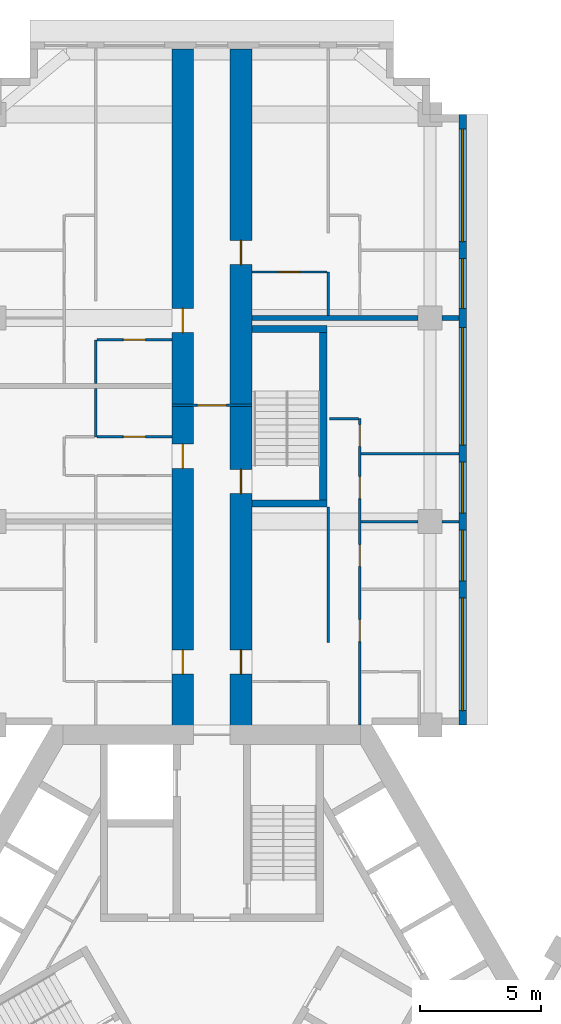
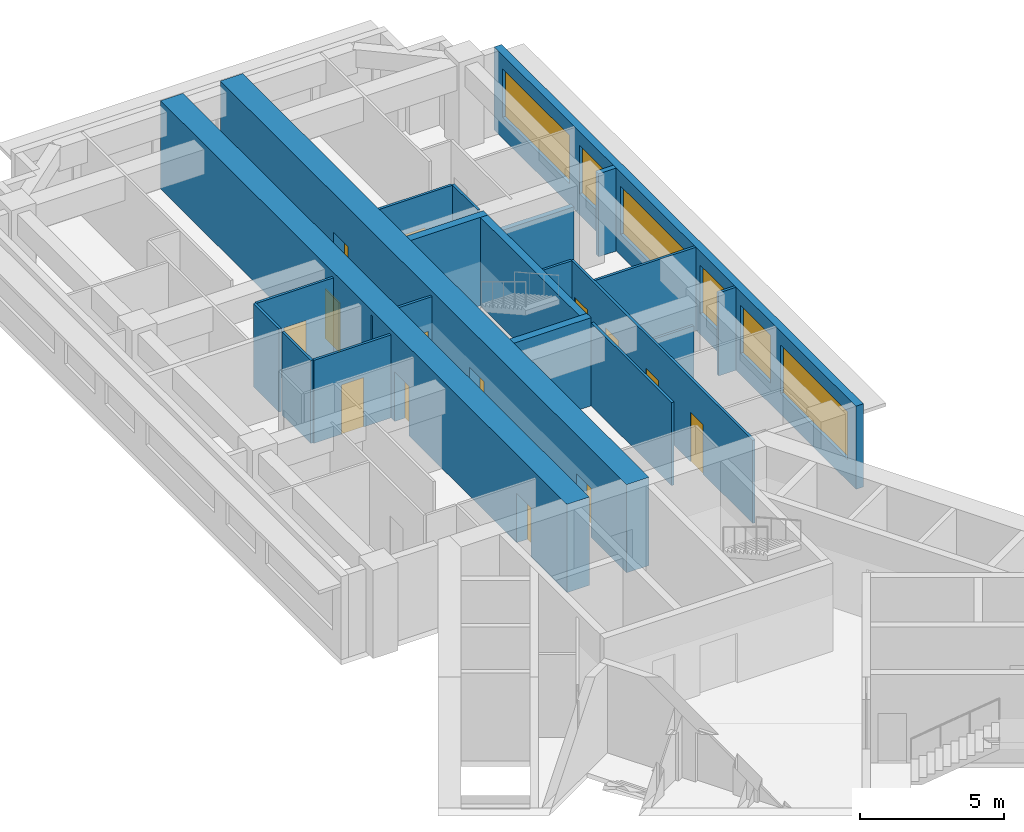
# One storey, part 9 of 13: 21 walls, 14 doors, 6 windows, 20 openings.
"""IFC4 building model written with IfcOpenShell, lengths in metres."""

from ifc_helpers import new_model, si_unit, direction, frame, frame_2d, origin, place, context, subcontext, project, spatial, rectangle, extrude, material, layer, layer_set, type_object, element, fill, save


model = new_model("IFC4")

# Units and contexts
model_context = context("Model", 3, precision=1e-05, world=origin(), true_north=direction((0.0, 1.0)))
body_context = subcontext(model_context, "Body", "Model", "MODEL_VIEW")
ifc_project = project(units=[si_unit("LENGTHUNIT", "METRE"), si_unit("AREAUNIT", "SQUARE_METRE"), si_unit("VOLUMEUNIT", "CUBIC_METRE"), si_unit("PLANEANGLEUNIT", "RADIAN"), si_unit("MASSUNIT", "GRAM", prefix="KILO")], contexts=[model_context])

# Site, building, storey
site_placement = place(None, origin())
site = spatial("IfcSite", under=ifc_project, at=site_placement, CompositionType="ELEMENT")
building_placement = place(site_placement, origin())
building = spatial("IfcBuilding", under=site, at=building_placement, Name="Impinga Residences", CompositionType="ELEMENT")
storey_placement = place(building_placement, frame((0.0, 0.0, 139.75)))
storey = spatial("IfcBuildingStorey", under=building, at=storey_placement, Name="L34", CompositionType="ELEMENT", Elevation=139.75)

# Wall, openings, doors
ifc_material_1 = material(Name="Concrete C60/75", Category="concrete")
ifc_layer_1 = layer(ifc_material_1, 0.89990234375)
ifc_layer_set_1 = layer_set([ifc_layer_1], Name="Concrete C60/75")
wall_type_1 = type_object("IfcWallType", Name="BW2 corridor buttress wall, L24 to L44 900", PredefinedType="SHEAR", material=ifc_layer_set_1)
wall_1_placement = place(storey_placement, frame((-1.199951171875, 11.031494140625, 0.0), z_axis=(0.0, 0.0, 1.0), x_axis=(0.0, 1.0, 0.0)))
wall_1 = element("IfcWall", 1, at=wall_1_placement, inside=storey, type_object=wall_type_1, Name="Corridor wall BW2 NC L34", PredefinedType="SHEAR", context=body_context, shape_type="SweptSolid", body=[
    extrude(rectangle(XDim=28.300048828125, YDim=0.89990234375, at=frame_2d((14.14990234375, 0.0))), origin(), (0.0, 0.0, 1.0), 3.75),
])
opening_1_placement = place(wall_1_placement, frame((2.5, 0.0, 0.0)))
opening_1 = element("IfcOpeningElement", 2, at=opening_1_placement, cuts=wall_1, Name="Opening D1", PredefinedType="OPENING", context=body_context, shape_type="SweptSolid", body=[
    extrude(rectangle(XDim=1.0, YDim=2.10009765625, at=frame_2d((0.5, 1.050048828125))), frame((0.0, 0.4599609375, 0.0), z_axis=(0.0, -1.0, 0.0), x_axis=(1.0, 0.0, 0.0)), (0.0, 0.0, 1.0), 0.919921875),
])
opening_2_placement = place(wall_1_placement, frame((11.0, 0.0, 0.0)))
opening_2 = element("IfcOpeningElement", 3, at=opening_2_placement, cuts=wall_1, Name="Opening D1", PredefinedType="OPENING", context=body_context, shape_type="SweptSolid", body=[
    extrude(rectangle(XDim=1.0, YDim=2.10009765625, at=frame_2d((0.5, 1.050048828125))), frame((0.0, 0.4599609375, 0.0), z_axis=(0.0, -1.0, 0.0), x_axis=(1.0, 0.0, 0.0)), (0.0, 0.0, 1.0), 0.919921875),
])
opening_3_placement = place(wall_1_placement, frame((16.60009765625, 0.0, 0.0)))
opening_3 = element("IfcOpeningElement", 4, at=opening_3_placement, cuts=wall_1, Name="Opening D1", PredefinedType="OPENING", context=body_context, shape_type="SweptSolid", body=[
    extrude(rectangle(XDim=1.0, YDim=2.10009765625, at=frame_2d((0.5, 1.050048828125))), frame((0.0, 0.4599609375, 0.0), z_axis=(0.0, -1.0, 0.0), x_axis=(1.0, 0.0, 0.0)), (0.0, 0.0, 1.0), 0.919921875),
])
ifc_material_2 = material(Name="Timber door set", Category="wood")
door_type_1 = type_object("IfcDoorType", Name="D1 apartment entrance door 1000x2100", OperationType="SINGLE_SWING_LEFT", PredefinedType="DOOR", material=ifc_material_2)
door_1_placement = place(opening_1_placement, origin())
door_1 = element("IfcDoor", 5, at=door_1_placement, inside=storey, type_object=door_type_1, Name="Apartment L34-NA1 entrance", OperationType="SINGLE_SWING_LEFT", OverallHeight=2.10009765625, OverallWidth=1.0, PredefinedType="DOOR", context=body_context, shape_type="SweptSolid", body=[
    extrude(rectangle(XDim=1.0, YDim=2.10009765625, at=frame_2d((0.5, 1.050048828125))), frame((0.0, 0.02490234375, 0.0), z_axis=(0.0, -1.0, 0.0), x_axis=(1.0, 0.0, 0.0)), (0.0, 0.0, 1.0), 0.050048828125),
])
fill(opening_1, door_1)
door_2_placement = place(opening_2_placement, origin())
door_2 = element("IfcDoor", 6, at=door_2_placement, inside=storey, type_object=door_type_1, Name="Apartment L34-NA2 entrance", OperationType="SINGLE_SWING_LEFT", OverallHeight=2.10009765625, OverallWidth=1.0, PredefinedType="DOOR", context=body_context, shape_type="SweptSolid", body=[
    extrude(rectangle(XDim=1.0, YDim=2.10009765625, at=frame_2d((0.5, 1.050048828125))), frame((0.0, 0.02490234375, 0.0), z_axis=(0.0, -1.0, 0.0), x_axis=(1.0, 0.0, 0.0)), (0.0, 0.0, 1.0), 0.050048828125),
])
fill(opening_2, door_2)
door_3_placement = place(opening_3_placement, origin())
door_3 = element("IfcDoor", 7, at=door_3_placement, inside=storey, type_object=door_type_1, Name="Apartment L34-NA3 entrance", OperationType="SINGLE_SWING_RIGHT", OverallHeight=2.10009765625, OverallWidth=1.0, PredefinedType="DOOR", context=body_context, shape_type="SweptSolid", body=[
    extrude(rectangle(XDim=1.0, YDim=2.10009765625, at=frame_2d((0.5, 1.050048828125))), frame((0.0, 0.02490234375, 0.0), z_axis=(0.0, -1.0, 0.0), x_axis=(1.0, 0.0, 0.0)), (0.0, 0.0, 1.0), 0.050048828125),
])
fill(opening_3, door_3)

wall_2_placement = place(storey_placement, frame((1.199951171875, 11.031494140625, 0.0), z_axis=(0.0, 0.0, 1.0), x_axis=(0.0, 1.0, 0.0)))
wall_2 = element("IfcWall", 8, at=wall_2_placement, inside=storey, type_object=wall_type_1, Name="Corridor wall BW2 ND L34", PredefinedType="SHEAR", context=body_context, shape_type="SweptSolid", body=[
    extrude(rectangle(XDim=28.300048828125, YDim=0.89990234375, at=frame_2d((14.14990234375, 0.0))), origin(), (0.0, 0.0, 1.0), 3.75),
])
opening_4_placement = place(wall_2_placement, frame((9.949951171875, 0.0, 0.0)))
opening_4 = element("IfcOpeningElement", 9, at=opening_4_placement, cuts=wall_2, Name="Opening D5", PredefinedType="OPENING", context=body_context, shape_type="SweptSolid", body=[
    extrude(rectangle(XDim=1.0, YDim=2.10009765625, at=frame_2d((0.5, 1.050048828125))), frame((0.0, 0.4599609375, 0.0), z_axis=(0.0, -1.0, 0.0), x_axis=(1.0, 0.0, 0.0)), (0.0, 0.0, 1.0), 0.919921875),
])
opening_5_placement = place(wall_2_placement, frame((2.5, 0.0, 0.0)))
opening_5 = element("IfcOpeningElement", 10, at=opening_5_placement, cuts=wall_2, Name="Opening D1", PredefinedType="OPENING", context=body_context, shape_type="SweptSolid", body=[
    extrude(rectangle(XDim=1.0, YDim=2.10009765625, at=frame_2d((0.5, 1.050048828125))), frame((0.0, 0.4599609375, 0.0), z_axis=(0.0, -1.0, 0.0), x_axis=(1.0, 0.0, 0.0)), (0.0, 0.0, 1.0), 0.919921875),
])
opening_6_placement = place(wall_2_placement, frame((19.39990234375, 0.0, 0.0)))
opening_6 = element("IfcOpeningElement", 11, at=opening_6_placement, cuts=wall_2, Name="Opening D1", PredefinedType="OPENING", context=body_context, shape_type="SweptSolid", body=[
    extrude(rectangle(XDim=1.0, YDim=2.10009765625, at=frame_2d((0.5, 1.050048828125))), frame((0.0, 0.4599609375, 0.0), z_axis=(0.0, -1.0, 0.0), x_axis=(1.0, 0.0, 0.0)), (0.0, 0.0, 1.0), 0.919921875),
])
door_4_placement = place(opening_5_placement, origin())
door_4 = element("IfcDoor", 12, at=door_4_placement, inside=storey, type_object=door_type_1, Name="Apartment L34-NF1 entrance", OperationType="SINGLE_SWING_LEFT", OverallHeight=2.10009765625, OverallWidth=1.0, PredefinedType="DOOR", context=body_context, shape_type="SweptSolid", body=[
    extrude(rectangle(XDim=1.0, YDim=2.10009765625, at=frame_2d((0.5, 1.050048828125))), frame((0.0, 0.02490234375, 0.0), z_axis=(0.0, -1.0, 0.0), x_axis=(1.0, 0.0, 0.0)), (0.0, 0.0, 1.0), 0.050048828125),
])
fill(opening_5, door_4)
door_5_placement = place(opening_6_placement, origin())
door_5 = element("IfcDoor", 13, at=door_5_placement, inside=storey, type_object=door_type_1, Name="Apartment L34-NF2 entrance", OperationType="SINGLE_SWING_RIGHT", OverallHeight=2.10009765625, OverallWidth=1.0, PredefinedType="DOOR", context=body_context, shape_type="SweptSolid", body=[
    extrude(rectangle(XDim=1.0, YDim=2.10009765625, at=frame_2d((0.5, 1.050048828125))), frame((0.0, 0.02490234375, 0.0), z_axis=(0.0, -1.0, 0.0), x_axis=(1.0, 0.0, 0.0)), (0.0, 0.0, 1.0), 0.050048828125),
])
fill(opening_6, door_5)
door_type_2 = type_object("IfcDoorType", Name="D5 stair door 1000x2100", OperationType="SINGLE_SWING_LEFT", PredefinedType="DOOR", material=ifc_material_2)
door_6_placement = place(opening_4_placement, origin())
door_6 = element("IfcDoor", 14, at=door_6_placement, inside=storey, type_object=door_type_2, Name="Wing stair door N", OperationType="SINGLE_SWING_LEFT", OverallHeight=2.10009765625, OverallWidth=1.0, PredefinedType="DOOR", context=body_context, shape_type="SweptSolid", body=[
    extrude(rectangle(XDim=1.0, YDim=2.10009765625, at=frame_2d((0.5, 1.050048828125))), frame((0.0, 0.02490234375, 0.0), z_axis=(0.0, -1.0, 0.0), x_axis=(1.0, 0.0, 0.0)), (0.0, 0.0, 1.0), 0.050048828125),
])
fill(opening_4, door_6)

# Wall, opening, door
ifc_material_3 = material(Name="Concrete blockwork", Category="masonry")
ifc_layer_2 = layer(ifc_material_3, 0.10009765625)
ifc_layer_set_2 = layer_set([ifc_layer_2], Name="CP1 core room partition, blockwork 100")
wall_type_2 = type_object("IfcWallType", Name="CP1 core room partition, blockwork 100", PredefinedType="PARTITIONING", material=ifc_layer_set_2)
wall_3_placement = place(storey_placement, frame((-1.64990234375, 24.631591796875, 0.0), z_axis=(0.0, 0.0, 1.0), x_axis=(1.0, 0.0, 0.0)))
wall_3 = element("IfcWall", 15, at=wall_3_placement, inside=storey, type_object=wall_type_2, Name="Core room partition, blockwork L34:N:PLB", PredefinedType="PARTITIONING", context=body_context, shape_type="SweptSolid", body=[
    extrude(rectangle(XDim=3.2998046875, YDim=0.10009765625, at=frame_2d((1.64990234375, 0.0))), origin(), (0.0, 0.0, 1.0), 3.530029296875),
])
opening_7_placement = place(wall_3_placement, frame((1.050048828125, 0.0, 0.0)))
opening_7 = element("IfcOpeningElement", 16, at=opening_7_placement, cuts=wall_3, Name="Opening D3", PredefinedType="OPENING", context=body_context, shape_type="SweptSolid", body=[
    extrude(rectangle(XDim=1.199951171875, YDim=2.10009765625, at=frame_2d((0.60009765625, 1.050048828125))), frame((0.0, 0.06005859375, 0.0), z_axis=(0.0, -1.0, 0.0), x_axis=(1.0, 0.0, 0.0)), (0.0, 0.0, 1.0), 0.1201171875),
])
door_type_3 = type_object("IfcDoorType", Name="D3 room door, leaf and a half 1200x2100", OperationType="DOUBLE_SWING_LEFT", PredefinedType="DOOR", material=ifc_material_2)
door_7_placement = place(opening_7_placement, origin())
door_7 = element("IfcDoor", 17, at=door_7_placement, inside=storey, type_object=door_type_3, Name="Private lobby door N", OperationType="DOUBLE_SWING_LEFT", OverallHeight=2.10009765625, OverallWidth=1.199951171875, PredefinedType="DOOR", context=body_context, shape_type="SweptSolid", body=[
    extrude(rectangle(XDim=1.199951171875, YDim=2.10009765625, at=frame_2d((0.60009765625, 1.050048828125))), frame((0.0, 0.02490234375, 0.0), z_axis=(0.0, -1.0, 0.0), x_axis=(1.0, 0.0, 0.0)), (0.0, 0.0, 1.0), 0.050048828125),
])
fill(opening_7, door_7)

# Wall, openings, windows
ifc_material_4 = material(Name="Terracotta rainscreen on blockwork", Category="masonry")
ifc_layer_3 = layer(ifc_material_4, 0.300048828125)
ifc_layer_set_3 = layer_set([ifc_layer_3], Name="EW1 external wall, terracotta rainscreen on blockwork 300")
wall_type_3 = type_object("IfcWallType", Name="EW1 external wall, terracotta rainscreen on blockwork 300", PredefinedType="SOLIDWALL", material=ifc_layer_set_3)
wall_4_placement = place(storey_placement, frame((10.35009765625, 36.631591796875, 0.0), z_axis=(0.0, 0.0, 1.0), x_axis=(0.0, -1.0, 0.0)))
wall_4 = element("IfcWall", 18, at=wall_4_placement, inside=storey, type_object=wall_type_3, Name="External wall EW1 L34", PredefinedType="SOLIDWALL", context=body_context, shape_type="SweptSolid", body=[
    extrude(rectangle(XDim=25.199951171875, YDim=0.300048828125, at=frame_2d((12.60009765625, 0.0))), origin(), (0.0, 0.0, 1.0), 3.530029296875),
])
opening_8_placement = place(wall_4_placement, frame((0.60009765625, 0.0, 0.89990234375)))
opening_8 = element("IfcOpeningElement", 19, at=opening_8_placement, cuts=wall_4, Name="Opening W10", PredefinedType="OPENING", context=body_context, shape_type="SweptSolid", body=[
    extrude(rectangle(XDim=4.64990234375, YDim=2.050048828125, at=frame_2d((2.324951171875, 1.02490234375))), frame((0.0, 0.159912109375, 0.0), z_axis=(0.0, -1.0, 0.0), x_axis=(1.0, 0.0, 0.0)), (0.0, 0.0, 1.0), 0.320068359375),
])
opening_9_placement = place(wall_4_placement, frame((5.949951171875, 0.0, 0.89990234375)))
opening_9 = element("IfcOpeningElement", 20, at=opening_9_placement, cuts=wall_4, Name="Opening W14", PredefinedType="OPENING", context=body_context, shape_type="SweptSolid", body=[
    extrude(rectangle(XDim=2.050048828125, YDim=2.050048828125, at=frame_2d((1.02490234375, 1.02490234375))), frame((0.0, 0.159912109375, 0.0), z_axis=(0.0, -1.0, 0.0), x_axis=(1.0, 0.0, 0.0)), (0.0, 0.0, 1.0), 0.320068359375),
])
opening_10_placement = place(wall_4_placement, frame((8.800048828125, 0.0, 0.89990234375)))
opening_10 = element("IfcOpeningElement", 21, at=opening_10_placement, cuts=wall_4, Name="Opening W6", PredefinedType="OPENING", context=body_context, shape_type="SweptSolid", body=[
    extrude(rectangle(XDim=4.85009765625, YDim=2.050048828125, at=frame_2d((2.425048828125, 1.02490234375))), frame((0.0, 0.159912109375, 0.0), z_axis=(0.0, -1.0, 0.0), x_axis=(1.0, 0.0, 0.0)), (0.0, 0.0, 1.0), 0.320068359375),
])
opening_11_placement = place(wall_4_placement, frame((14.35009765625, 0.0, 0.89990234375)))
opening_11 = element("IfcOpeningElement", 22, at=opening_11_placement, cuts=wall_4, Name="Opening W9", PredefinedType="OPENING", context=body_context, shape_type="SweptSolid", body=[
    extrude(rectangle(XDim=2.10009765625, YDim=2.050048828125, at=frame_2d((1.050048828125, 1.02490234375))), frame((0.0, 0.159912109375, 0.0), z_axis=(0.0, -1.0, 0.0), x_axis=(1.0, 0.0, 0.0)), (0.0, 0.0, 1.0), 0.320068359375),
])
opening_12_placement = place(wall_4_placement, frame((17.14990234375, 0.0, 0.89990234375)))
opening_12 = element("IfcOpeningElement", 23, at=opening_12_placement, cuts=wall_4, Name="Opening W9", PredefinedType="OPENING", context=body_context, shape_type="SweptSolid", body=[
    extrude(rectangle(XDim=2.10009765625, YDim=2.050048828125, at=frame_2d((1.050048828125, 1.02490234375))), frame((0.0, 0.159912109375, 0.0), z_axis=(0.0, -1.0, 0.0), x_axis=(1.0, 0.0, 0.0)), (0.0, 0.0, 1.0), 0.320068359375),
])
opening_13_placement = place(wall_4_placement, frame((19.949951171875, 0.0, 0.89990234375)))
opening_13 = element("IfcOpeningElement", 24, at=opening_13_placement, cuts=wall_4, Name="Opening W10", PredefinedType="OPENING", context=body_context, shape_type="SweptSolid", body=[
    extrude(rectangle(XDim=4.64990234375, YDim=2.050048828125, at=frame_2d((2.324951171875, 1.02490234375))), frame((0.0, 0.159912109375, 0.0), z_axis=(0.0, -1.0, 0.0), x_axis=(1.0, 0.0, 0.0)), (0.0, 0.0, 1.0), 0.320068359375),
])
ifc_material_5 = material(Name="Aluminium window, clear double glazing", Category="aluminium")
window_type_1 = type_object("IfcWindowType", Name="W10 ribbon window 4650x2050", PartitioningType="SINGLE_PANEL", PredefinedType="WINDOW", material=ifc_material_5)
window_1_placement = place(opening_8_placement, origin())
window_1 = element("IfcWindow", 25, at=window_1_placement, inside=storey, type_object=window_type_1, Name="Window L34", OverallHeight=2.050048828125, OverallWidth=4.64990234375, PartitioningType="SINGLE_PANEL", PredefinedType="WINDOW", context=body_context, shape_type="SweptSolid", body=[
    extrude(rectangle(XDim=4.64990234375, YDim=2.050048828125, at=frame_2d((2.324951171875, 1.02490234375))), frame((0.0, 0.030029296875, 0.0), z_axis=(0.0, -1.0, 0.0), x_axis=(1.0, 0.0, 0.0)), (0.0, 0.0, 1.0), 0.06005859375),
])
fill(opening_8, window_1)
window_2_placement = place(opening_13_placement, origin())
window_2 = element("IfcWindow", 26, at=window_2_placement, inside=storey, type_object=window_type_1, Name="Window L34", OverallHeight=2.050048828125, OverallWidth=4.64990234375, PartitioningType="SINGLE_PANEL", PredefinedType="WINDOW", context=body_context, shape_type="SweptSolid", body=[
    extrude(rectangle(XDim=4.64990234375, YDim=2.050048828125, at=frame_2d((2.324951171875, 1.02490234375))), frame((0.0, 0.030029296875, 0.0), z_axis=(0.0, -1.0, 0.0), x_axis=(1.0, 0.0, 0.0)), (0.0, 0.0, 1.0), 0.06005859375),
])
fill(opening_13, window_2)
window_type_2 = type_object("IfcWindowType", Name="W14 ribbon window 2050x2050", PartitioningType="SINGLE_PANEL", PredefinedType="WINDOW", material=ifc_material_5)
window_3_placement = place(opening_9_placement, origin())
window_3 = element("IfcWindow", 27, at=window_3_placement, inside=storey, type_object=window_type_2, Name="Window L34", OverallHeight=2.050048828125, OverallWidth=2.050048828125, PartitioningType="SINGLE_PANEL", PredefinedType="WINDOW", context=body_context, shape_type="SweptSolid", body=[
    extrude(rectangle(XDim=2.050048828125, YDim=2.050048828125, at=frame_2d((1.02490234375, 1.02490234375))), frame((0.0, 0.030029296875, 0.0), z_axis=(0.0, -1.0, 0.0), x_axis=(1.0, 0.0, 0.0)), (0.0, 0.0, 1.0), 0.06005859375),
])
fill(opening_9, window_3)
window_type_3 = type_object("IfcWindowType", Name="W6 ribbon window 4850x2050", PartitioningType="SINGLE_PANEL", PredefinedType="WINDOW", material=ifc_material_5)
window_4_placement = place(opening_10_placement, origin())
window_4 = element("IfcWindow", 28, at=window_4_placement, inside=storey, type_object=window_type_3, Name="Window L34", OverallHeight=2.050048828125, OverallWidth=4.85009765625, PartitioningType="SINGLE_PANEL", PredefinedType="WINDOW", context=body_context, shape_type="SweptSolid", body=[
    extrude(rectangle(XDim=4.85009765625, YDim=2.050048828125, at=frame_2d((2.425048828125, 1.02490234375))), frame((0.0, 0.030029296875, 0.0), z_axis=(0.0, -1.0, 0.0), x_axis=(1.0, 0.0, 0.0)), (0.0, 0.0, 1.0), 0.06005859375),
])
fill(opening_10, window_4)
window_type_4 = type_object("IfcWindowType", Name="W9 ribbon window 2100x2050", PartitioningType="SINGLE_PANEL", PredefinedType="WINDOW", material=ifc_material_5)
window_5_placement = place(opening_11_placement, origin())
window_5 = element("IfcWindow", 29, at=window_5_placement, inside=storey, type_object=window_type_4, Name="Window L34", OverallHeight=2.050048828125, OverallWidth=2.10009765625, PartitioningType="SINGLE_PANEL", PredefinedType="WINDOW", context=body_context, shape_type="SweptSolid", body=[
    extrude(rectangle(XDim=2.10009765625, YDim=2.050048828125, at=frame_2d((1.050048828125, 1.02490234375))), frame((0.0, 0.030029296875, 0.0), z_axis=(0.0, -1.0, 0.0), x_axis=(1.0, 0.0, 0.0)), (0.0, 0.0, 1.0), 0.06005859375),
])
fill(opening_11, window_5)
window_6_placement = place(opening_12_placement, origin())
window_6 = element("IfcWindow", 30, at=window_6_placement, inside=storey, type_object=window_type_4, Name="Window L34", OverallHeight=2.050048828125, OverallWidth=2.10009765625, PartitioningType="SINGLE_PANEL", PredefinedType="WINDOW", context=body_context, shape_type="SweptSolid", body=[
    extrude(rectangle(XDim=2.10009765625, YDim=2.050048828125, at=frame_2d((1.050048828125, 1.02490234375))), frame((0.0, 0.030029296875, 0.0), z_axis=(0.0, -1.0, 0.0), x_axis=(1.0, 0.0, 0.0)), (0.0, 0.0, 1.0), 0.06005859375),
])
fill(opening_12, window_6)

# Wall
ifc_material_6 = material(Name="Gypsum board on steel studs", Category="steel")
ifc_layer_4 = layer(ifc_material_6, 0.10009765625)
ifc_layer_set_4 = layer_set([ifc_layer_4], Name="Gypsum board on steel studs")
wall_type_4 = type_object("IfcWallType", Name="IP1 partition 100", PredefinedType="PARTITIONING", material=ifc_layer_set_4)
wall_5_placement = place(storey_placement, frame((-4.800048828125, 23.33154296875, 0.0), z_axis=(0.0, 0.0, 1.0), x_axis=(0.0, 1.0, 0.0)))
element("IfcWall", 31, at=wall_5_placement, inside=storey, type_object=wall_type_4, Name="Partition L34-NA2:DIV1", PredefinedType="PARTITIONING", context=body_context, shape_type="SweptSolid", body=[
    extrude(rectangle(XDim=2.0, YDim=0.10009765625, at=frame_2d((1.0, 0.0))), origin(), (0.0, 0.0, 1.0), 3.530029296875),
])

# Wall, opening, door
wall_6_placement = place(storey_placement, frame((-1.64990234375, 23.33154296875, 0.0), z_axis=(0.0, 0.0, 1.0), x_axis=(-1.0, 0.0, 0.0)))
wall_6 = element("IfcWall", 32, at=wall_6_placement, inside=storey, type_object=wall_type_4, Name="Partition L34-NA2:IB2", PredefinedType="PARTITIONING", context=body_context, shape_type="SweptSolid", body=[
    extrude(rectangle(XDim=3.10009765625, YDim=0.10009765625, at=frame_2d((1.550048828125, 0.0))), origin(), (0.0, 0.0, 1.0), 3.530029296875),
])
opening_14_placement = place(wall_6_placement, frame((1.10009765625, 0.0, 0.0)))
opening_14 = element("IfcOpeningElement", 33, at=opening_14_placement, cuts=wall_6, Name="Opening D2", PredefinedType="OPENING", context=body_context, shape_type="SweptSolid", body=[
    extrude(rectangle(XDim=0.89990234375, YDim=2.10009765625, at=frame_2d((0.449951171875, 1.050048828125))), frame((0.0, 0.06005859375, 0.0), z_axis=(0.0, -1.0, 0.0), x_axis=(1.0, 0.0, 0.0)), (0.0, 0.0, 1.0), 0.1201171875),
])
door_type_4 = type_object("IfcDoorType", Name="D2 internal door 900x2100", OperationType="SINGLE_SWING_LEFT", PredefinedType="DOOR", material=ifc_material_2)
door_8_placement = place(opening_14_placement, origin())
door_8 = element("IfcDoor", 34, at=door_8_placement, inside=storey, type_object=door_type_4, Name="Apartment L34-NA2 WC door", OperationType="SINGLE_SWING_LEFT", OverallHeight=2.10009765625, OverallWidth=0.89990234375, PredefinedType="DOOR", context=body_context, shape_type="SweptSolid", body=[
    extrude(rectangle(XDim=0.89990234375, YDim=2.10009765625, at=frame_2d((0.449951171875, 1.050048828125))), frame((0.0, 0.02490234375, 0.0), z_axis=(0.0, -1.0, 0.0), x_axis=(1.0, 0.0, 0.0)), (0.0, 0.0, 1.0), 0.050048828125),
])
fill(opening_14, door_8)

# Wall
wall_7_placement = place(storey_placement, frame((-4.800048828125, 25.531494140625, 0.0), z_axis=(0.0, 0.0, 1.0), x_axis=(0.0, 1.0, 0.0)))
element("IfcWall", 35, at=wall_7_placement, inside=storey, type_object=wall_type_4, Name="Partition L34-NA3:DIV0", PredefinedType="PARTITIONING", context=body_context, shape_type="SweptSolid", body=[
    extrude(rectangle(XDim=1.800048828125, YDim=0.10009765625, at=frame_2d((0.89990234375, 0.0))), origin(), (0.0, 0.0, 1.0), 3.530029296875),
])

# Wall, opening, door
wall_8_placement = place(storey_placement, frame((-1.64990234375, 27.33154296875, 0.0), z_axis=(0.0, 0.0, 1.0), x_axis=(-1.0, 0.0, 0.0)))
wall_8 = element("IfcWall", 36, at=wall_8_placement, inside=storey, type_object=wall_type_4, Name="Partition L34-NA3:IB1", PredefinedType="PARTITIONING", context=body_context, shape_type="SweptSolid", body=[
    extrude(rectangle(XDim=3.10009765625, YDim=0.10009765625, at=frame_2d((1.550048828125, 0.0))), origin(), (0.0, 0.0, 1.0), 3.530029296875),
])
opening_15_placement = place(wall_8_placement, frame((1.10009765625, 0.0, 0.0)))
opening_15 = element("IfcOpeningElement", 37, at=opening_15_placement, cuts=wall_8, Name="Opening D2", PredefinedType="OPENING", context=body_context, shape_type="SweptSolid", body=[
    extrude(rectangle(XDim=0.89990234375, YDim=2.10009765625, at=frame_2d((0.449951171875, 1.050048828125))), frame((0.0, 0.06005859375, 0.0), z_axis=(0.0, -1.0, 0.0), x_axis=(1.0, 0.0, 0.0)), (0.0, 0.0, 1.0), 0.1201171875),
])
door_9_placement = place(opening_15_placement, origin())
door_9 = element("IfcDoor", 38, at=door_9_placement, inside=storey, type_object=door_type_4, Name="Apartment L34-NA3 bathroom door", OperationType="SINGLE_SWING_LEFT", OverallHeight=2.10009765625, OverallWidth=0.89990234375, PredefinedType="DOOR", context=body_context, shape_type="SweptSolid", body=[
    extrude(rectangle(XDim=0.89990234375, YDim=2.10009765625, at=frame_2d((0.449951171875, 1.050048828125))), frame((0.0, 0.02490234375, 0.0), z_axis=(0.0, -1.0, 0.0), x_axis=(1.0, 0.0, 0.0)), (0.0, 0.0, 1.0), 0.050048828125),
])
fill(opening_15, door_9)

# Wall
wall_9_placement = place(storey_placement, frame((4.800048828125, 14.83154296875, 0.0), z_axis=(0.0, 0.0, 1.0), x_axis=(0.0, 1.0, 0.0)))
element("IfcWall", 39, at=wall_9_placement, inside=storey, type_object=wall_type_4, Name="Partition L34-NF1:DIV1", PredefinedType="PARTITIONING", context=body_context, shape_type="SweptSolid", body=[
    extrude(rectangle(XDim=5.60009765625, YDim=0.10009765625, at=frame_2d((2.800048828125, 0.0))), origin(), (0.0, 0.0, 1.0), 3.530029296875),
])

# Wall, openings, doors
wall_10_placement = place(storey_placement, frame((6.10009765625, 11.431640625, 0.0), z_axis=(0.0, 0.0, 1.0), x_axis=(0.0, 1.0, 0.0)))
wall_10 = element("IfcWall", 40, at=wall_10_placement, inside=storey, type_object=wall_type_4, Name="Partition L34-NF1:STRIP", PredefinedType="PARTITIONING", context=body_context, shape_type="SweptSolid", body=[
    extrude(rectangle(XDim=12.64990234375, YDim=0.10009765625, at=frame_2d((6.324951171875, 0.0))), origin(), (0.0, 0.0, 1.0), 3.530029296875),
])
opening_16_placement = place(wall_10_placement, frame((3.449951171875, 0.0, 0.0)))
opening_16 = element("IfcOpeningElement", 41, at=opening_16_placement, cuts=wall_10, Name="Opening D2", PredefinedType="OPENING", context=body_context, shape_type="SweptSolid", body=[
    extrude(rectangle(XDim=0.89990234375, YDim=2.10009765625, at=frame_2d((0.449951171875, 1.050048828125))), frame((0.0, 0.06005859375, 0.0), z_axis=(0.0, -1.0, 0.0), x_axis=(1.0, 0.0, 0.0)), (0.0, 0.0, 1.0), 0.1201171875),
])
opening_17_placement = place(wall_10_placement, frame((6.550048828125, 0.0, 0.0)))
opening_17 = element("IfcOpeningElement", 42, at=opening_17_placement, cuts=wall_10, Name="Opening D2", PredefinedType="OPENING", context=body_context, shape_type="SweptSolid", body=[
    extrude(rectangle(XDim=0.89990234375, YDim=2.10009765625, at=frame_2d((0.449951171875, 1.050048828125))), frame((0.0, 0.06005859375, 0.0), z_axis=(0.0, -1.0, 0.0), x_axis=(1.0, 0.0, 0.0)), (0.0, 0.0, 1.0), 0.1201171875),
])
opening_18_placement = place(wall_10_placement, frame((9.35009765625, 0.0, 0.0)))
opening_18 = element("IfcOpeningElement", 43, at=opening_18_placement, cuts=wall_10, Name="Opening D2", PredefinedType="OPENING", context=body_context, shape_type="SweptSolid", body=[
    extrude(rectangle(XDim=0.89990234375, YDim=2.10009765625, at=frame_2d((0.449951171875, 1.050048828125))), frame((0.0, 0.06005859375, 0.0), z_axis=(0.0, -1.0, 0.0), x_axis=(1.0, 0.0, 0.0)), (0.0, 0.0, 1.0), 0.1201171875),
])
opening_19_placement = place(wall_10_placement, frame((11.5, 0.0, 0.0)))
opening_19 = element("IfcOpeningElement", 44, at=opening_19_placement, cuts=wall_10, Name="Opening D2", PredefinedType="OPENING", context=body_context, shape_type="SweptSolid", body=[
    extrude(rectangle(XDim=0.89990234375, YDim=2.10009765625, at=frame_2d((0.449951171875, 1.050048828125))), frame((0.0, 0.06005859375, 0.0), z_axis=(0.0, -1.0, 0.0), x_axis=(1.0, 0.0, 0.0)), (0.0, 0.0, 1.0), 0.1201171875),
])
door_10_placement = place(opening_16_placement, origin())
door_10 = element("IfcDoor", 45, at=door_10_placement, inside=storey, type_object=door_type_4, Name="Apartment L34-NF1 room door", OperationType="SINGLE_SWING_LEFT", OverallHeight=2.10009765625, OverallWidth=0.89990234375, PredefinedType="DOOR", context=body_context, shape_type="SweptSolid", body=[
    extrude(rectangle(XDim=0.89990234375, YDim=2.10009765625, at=frame_2d((0.449951171875, 1.050048828125))), frame((0.0, 0.02490234375, 0.0), z_axis=(0.0, -1.0, 0.0), x_axis=(1.0, 0.0, 0.0)), (0.0, 0.0, 1.0), 0.050048828125),
])
fill(opening_16, door_10)
door_11_placement = place(opening_17_placement, origin())
door_11 = element("IfcDoor", 46, at=door_11_placement, inside=storey, type_object=door_type_4, Name="Apartment L34-NF1 room door", OperationType="SINGLE_SWING_RIGHT", OverallHeight=2.10009765625, OverallWidth=0.89990234375, PredefinedType="DOOR", context=body_context, shape_type="SweptSolid", body=[
    extrude(rectangle(XDim=0.89990234375, YDim=2.10009765625, at=frame_2d((0.449951171875, 1.050048828125))), frame((0.0, 0.02490234375, 0.0), z_axis=(0.0, -1.0, 0.0), x_axis=(1.0, 0.0, 0.0)), (0.0, 0.0, 1.0), 0.050048828125),
])
fill(opening_17, door_11)
door_12_placement = place(opening_18_placement, origin())
door_12 = element("IfcDoor", 47, at=door_12_placement, inside=storey, type_object=door_type_4, Name="Apartment L34-NF1 room door", OperationType="SINGLE_SWING_RIGHT", OverallHeight=2.10009765625, OverallWidth=0.89990234375, PredefinedType="DOOR", context=body_context, shape_type="SweptSolid", body=[
    extrude(rectangle(XDim=0.89990234375, YDim=2.10009765625, at=frame_2d((0.449951171875, 1.050048828125))), frame((0.0, 0.02490234375, 0.0), z_axis=(0.0, -1.0, 0.0), x_axis=(1.0, 0.0, 0.0)), (0.0, 0.0, 1.0), 0.050048828125),
])
fill(opening_18, door_12)
door_13_placement = place(opening_19_placement, origin())
door_13 = element("IfcDoor", 48, at=door_13_placement, inside=storey, type_object=door_type_4, Name="Apartment L34-NF1 room door", OperationType="SINGLE_SWING_RIGHT", OverallHeight=2.10009765625, OverallWidth=0.89990234375, PredefinedType="DOOR", context=body_context, shape_type="SweptSolid", body=[
    extrude(rectangle(XDim=0.89990234375, YDim=2.10009765625, at=frame_2d((0.449951171875, 1.050048828125))), frame((0.0, 0.02490234375, 0.0), z_axis=(0.0, -1.0, 0.0), x_axis=(1.0, 0.0, 0.0)), (0.0, 0.0, 1.0), 0.050048828125),
])
fill(opening_19, door_13)

# Walls
wall_11_placement = place(storey_placement, frame((4.85009765625, 24.08154296875, 0.0), z_axis=(0.0, 0.0, 1.0), x_axis=(1.0, 0.0, 0.0)))
element("IfcWall", 49, at=wall_11_placement, inside=storey, type_object=wall_type_4, Name="Partition L34-NF1:SE1", PredefinedType="PARTITIONING", context=body_context, shape_type="SweptSolid", body=[
    extrude(rectangle(XDim=1.199951171875, YDim=0.10009765625, at=frame_2d((0.60009765625, 0.0))), origin(), (0.0, 0.0, 1.0), 3.530029296875),
])
wall_12_placement = place(storey_placement, frame((6.14990234375, 19.83154296875, 0.0), z_axis=(0.0, 0.0, 1.0), x_axis=(1.0, 0.0, 0.0)))
element("IfcWall", 50, at=wall_12_placement, inside=storey, type_object=wall_type_4, Name="Partition L34-NF1:OB2", PredefinedType="PARTITIONING", context=body_context, shape_type="SweptSolid", body=[
    extrude(rectangle(XDim=2.35009765625, YDim=0.10009765625, at=frame_2d((1.175048828125, 0.0))), origin(), (0.0, 0.0, 1.0), 2.47998046875),
])
wall_13_placement = place(storey_placement, frame((9.5, 19.83154296875, 0.0), z_axis=(0.0, 0.0, 1.0), x_axis=(1.0, 0.0, 0.0)))
element("IfcWall", 51, at=wall_13_placement, inside=storey, type_object=wall_type_4, Name="Partition L34-NF1:OB2b", PredefinedType="PARTITIONING", context=body_context, shape_type="SweptSolid", body=[
    extrude(rectangle(XDim=0.699951171875, YDim=0.10009765625, at=frame_2d((0.35009765625, 0.0))), origin(), (0.0, 0.0, 1.0), 3.530029296875),
])
wall_14_placement = place(storey_placement, frame((6.14990234375, 22.631591796875, 0.0), z_axis=(0.0, 0.0, 1.0), x_axis=(1.0, 0.0, 0.0)))
element("IfcWall", 52, at=wall_14_placement, inside=storey, type_object=wall_type_4, Name="Partition L34-NF1:OB3", PredefinedType="PARTITIONING", context=body_context, shape_type="SweptSolid", body=[
    extrude(rectangle(XDim=4.050048828125, YDim=0.10009765625, at=frame_2d((2.02490234375, 0.0))), origin(), (0.0, 0.0, 1.0), 3.530029296875),
])
wall_15_placement = place(storey_placement, frame((4.800048828125, 28.33154296875, 0.0), z_axis=(0.0, 0.0, 1.0), x_axis=(0.0, 1.0, 0.0)))
element("IfcWall", 53, at=wall_15_placement, inside=storey, type_object=wall_type_4, Name="Partition L34-NF2:DIV0", PredefinedType="PARTITIONING", context=body_context, shape_type="SweptSolid", body=[
    extrude(rectangle(XDim=1.800048828125, YDim=0.10009765625, at=frame_2d((0.89990234375, 0.0))), origin(), (0.0, 0.0, 1.0), 3.530029296875),
])

# Wall, opening, door
wall_16_placement = place(storey_placement, frame((1.64990234375, 30.131591796875, 0.0), z_axis=(0.0, 0.0, 1.0), x_axis=(1.0, 0.0, 0.0)))
wall_16 = element("IfcWall", 54, at=wall_16_placement, inside=storey, type_object=wall_type_4, Name="Partition L34-NF2:IB1", PredefinedType="PARTITIONING", context=body_context, shape_type="SweptSolid", body=[
    extrude(rectangle(XDim=3.10009765625, YDim=0.10009765625, at=frame_2d((1.550048828125, 0.0))), origin(), (0.0, 0.0, 1.0), 3.530029296875),
])
opening_20_placement = place(wall_16_placement, frame((1.10009765625, 0.0, 0.0)))
opening_20 = element("IfcOpeningElement", 55, at=opening_20_placement, cuts=wall_16, Name="Opening D2", PredefinedType="OPENING", context=body_context, shape_type="SweptSolid", body=[
    extrude(rectangle(XDim=0.89990234375, YDim=2.10009765625, at=frame_2d((0.449951171875, 1.050048828125))), frame((0.0, 0.06005859375, 0.0), z_axis=(0.0, -1.0, 0.0), x_axis=(1.0, 0.0, 0.0)), (0.0, 0.0, 1.0), 0.1201171875),
])
door_14_placement = place(opening_20_placement, origin())
door_14 = element("IfcDoor", 56, at=door_14_placement, inside=storey, type_object=door_type_4, Name="Apartment L34-NF2 bathroom door", OperationType="SINGLE_SWING_LEFT", OverallHeight=2.10009765625, OverallWidth=0.89990234375, PredefinedType="DOOR", context=body_context, shape_type="SweptSolid", body=[
    extrude(rectangle(XDim=0.89990234375, YDim=2.10009765625, at=frame_2d((0.449951171875, 1.050048828125))), frame((0.0, 0.02490234375, 0.0), z_axis=(0.0, -1.0, 0.0), x_axis=(1.0, 0.0, 0.0)), (0.0, 0.0, 1.0), 0.050048828125),
])
fill(opening_20, door_14)

# Walls
ifc_layer_5 = layer(ifc_material_3, 0.199951171875)
ifc_layer_set_5 = layer_set([ifc_layer_5], Name="PW1 party wall between apartments 200")
wall_type_5 = type_object("IfcWallType", Name="PW1 party wall between apartments 200", PredefinedType="SOLIDWALL", material=ifc_layer_set_5)
wall_17_placement = place(storey_placement, frame((1.64990234375, 28.2314453125, 0.0), z_axis=(0.0, 0.0, 1.0), x_axis=(1.0, 0.0, 0.0)))
element("IfcWall", 57, at=wall_17_placement, inside=storey, type_object=wall_type_5, Name="Party wall between apartments L34-NF1:PARTY", PredefinedType="SOLIDWALL", context=body_context, shape_type="SweptSolid", body=[
    extrude(rectangle(XDim=6.85009765625, YDim=0.199951171875, at=frame_2d((3.425048828125, 0.0))), origin(), (0.0, 0.0, 1.0), 2.47998046875),
])
wall_18_placement = place(storey_placement, frame((9.5, 28.2314453125, 0.0), z_axis=(0.0, 0.0, 1.0), x_axis=(1.0, 0.0, 0.0)))
element("IfcWall", 58, at=wall_18_placement, inside=storey, type_object=wall_type_5, Name="Party wall between apartments L34-NF1:PARTYb", PredefinedType="SOLIDWALL", context=body_context, shape_type="SweptSolid", body=[
    extrude(rectangle(XDim=0.699951171875, YDim=0.199951171875, at=frame_2d((0.35009765625, 0.0))), origin(), (0.0, 0.0, 1.0), 3.530029296875),
])
ifc_layer_6 = layer(ifc_material_1, 0.300048828125)
ifc_layer_set_6 = layer_set([ifc_layer_6], Name="Concrete C60/75")
wall_type_6 = type_object("IfcWallType", Name="SE1 wing stair enclosure wall 300", PredefinedType="SOLIDWALL", material=ifc_layer_set_6)
for number, where, z_axis, x_axis, name in (
    (59, (1.64990234375, 20.58154296875, 0.0), (0.0, 0.0, 1.0), (1.0, 0.0, 0.0), "Stair enclosure wall SE1 N END0 L34"),
    (60, (1.64990234375, 27.781494140625, 0.0), (0.0, 0.0, 1.0), (1.0, 0.0, 0.0), "Stair enclosure wall SE1 N END1 L34"),
):
    element("IfcWall", number, at=place(storey_placement, frame(where, z_axis=z_axis, x_axis=x_axis)), inside=storey, type_object=wall_type_6, Name=name, PredefinedType="SOLIDWALL", context=body_context, shape_type="SweptSolid", body=[
        extrude(rectangle(XDim=3.10009765625, YDim=0.300048828125, at=frame_2d((1.550048828125, 0.0))), origin(), (0.0, 0.0, 1.0), 3.75),
    ])
wall_19_placement = place(storey_placement, frame((4.60009765625, 20.7314453125, 0.0), z_axis=(0.0, 0.0, 1.0), x_axis=(0.0, 1.0, 0.0)))
element("IfcWall", 61, at=wall_19_placement, inside=storey, type_object=wall_type_6, Name="Stair enclosure wall SE1 N OUT L34", PredefinedType="SOLIDWALL", context=body_context, shape_type="SweptSolid", body=[
    extrude(rectangle(XDim=6.900146484375, YDim=0.300048828125, at=frame_2d((3.4501953125, 0.0))), origin(), (0.0, 0.0, 1.0), 3.75),
])

save(model, "model.ifc")
